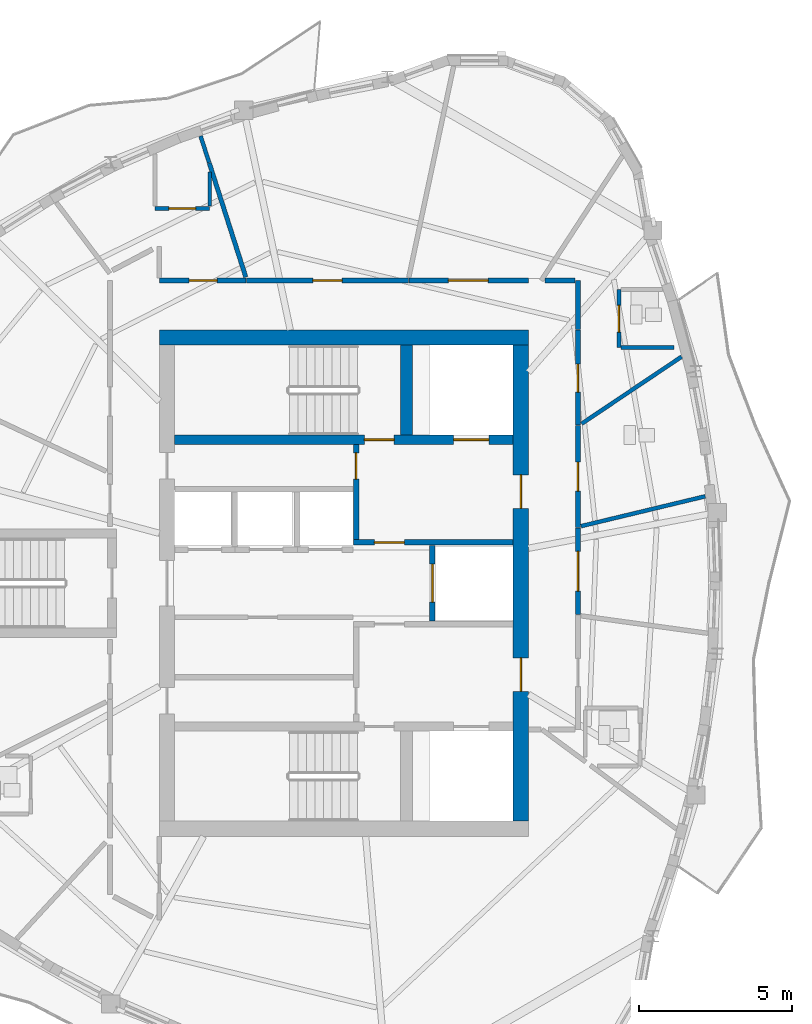
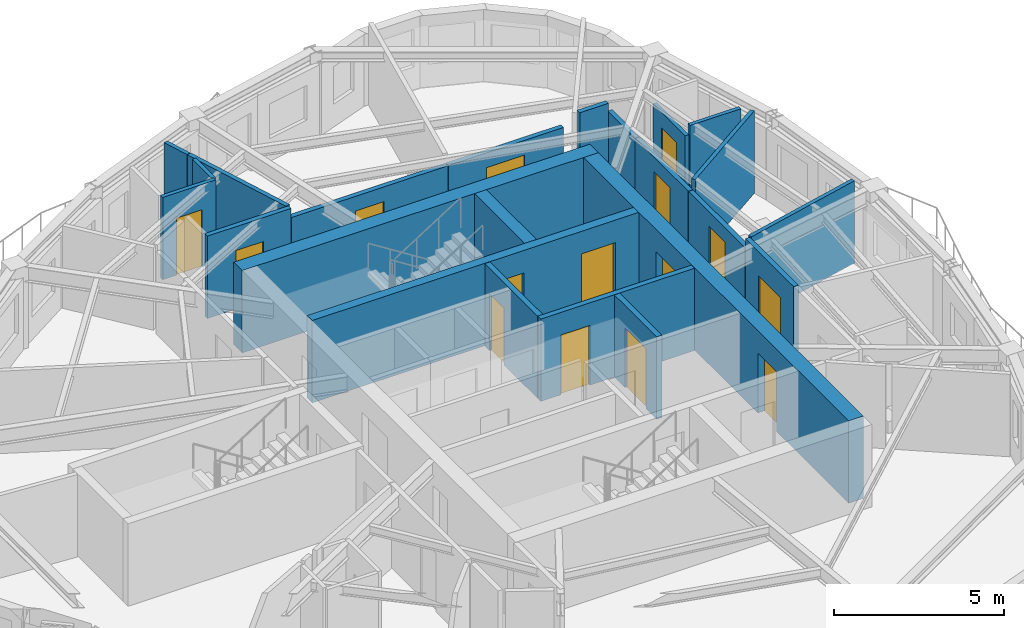
# One storey, part 6 of 12: 23 walls, 15 doors, 15 openings.
"""IFC4 building model written with IfcOpenShell, lengths in metres."""

from ifc_helpers import new_model, si_unit, direction, frame, frame_2d, origin, place, context, subcontext, project, spatial, rectangle, extrude, source, transform, mapped, material, layer, layer_set, type_object, element, fill, save


model = new_model("IFC4")

# Units and contexts
model_context = context("Model", 3, precision=1e-05, world=origin(), true_north=direction((0.0, 1.0)))
body_context = subcontext(model_context, "Body", "Model", "MODEL_VIEW")
ifc_project = project(units=[si_unit("LENGTHUNIT", "METRE"), si_unit("AREAUNIT", "SQUARE_METRE"), si_unit("VOLUMEUNIT", "CUBIC_METRE"), si_unit("PLANEANGLEUNIT", "RADIAN"), si_unit("MASSUNIT", "GRAM", prefix="KILO")], contexts=[model_context])

# Site, building, storey
site_placement = place(None, origin())
site = spatial("IfcSite", under=ifc_project, at=site_placement, CompositionType="ELEMENT")
building_placement = place(site_placement, origin())
building = spatial("IfcBuilding", under=site, at=building_placement, Name="Qafzar Sky-Pleat Residences", CompositionType="ELEMENT")
storey_placement = place(building_placement, frame((0.0, 0.0, 198.800048828125)))
storey = spatial("IfcBuildingStorey", under=building, at=storey_placement, Name="L59", CompositionType="ELEMENT", Elevation=198.800048828125)

# Wall, opening, door
ifc_material_1 = material(Name="Acoustic gypsum plasterboard partition", Category="gypsum")
ifc_layer_1 = layer(ifc_material_1, 0.159912109375)
ifc_layer_set_1 = layer_set([ifc_layer_1], Name="Acoustic gypsum plasterboard partition")
wall_type_1 = type_object("IfcWallType", Name="PART-COR-160", PredefinedType="PARTITIONING", material=ifc_layer_set_1)
wall_1_placement = place(storey_placement, frame((27.156005859375, 35.919921875, 0.0), z_axis=(0.0, 0.0, 1.0), x_axis=(1.0, 0.0, 0.0)))
wall_1 = element("IfcWall", 1, at=wall_1_placement, inside=storey, type_object=wall_type_1, Name="L59 Partition Wall PART-L59-PW-001", PredefinedType="PARTITIONING", context=body_context, shape_type="SweptSolid", body=[
    extrude(rectangle(XDim=5.31591796875, YDim=0.159912109375, at=frame_2d((2.657958984375, 0.0))), origin(), (0.0, 0.0, 1.0), 2.6279296875),
])
opening_1_placement = place(wall_1_placement, frame((2.177978515625, 0.0, 0.0)))
opening_1 = element("IfcOpeningElement", 2, at=opening_1_placement, cuts=wall_1, Name="Opening ID-06", PredefinedType="OPENING", context=body_context, shape_type="SweptSolid", body=[
    extrude(rectangle(XDim=0.9599609375, YDim=2.10009765625, at=frame_2d((0.47998046875, 1.050048828125))), frame((0.0, 0.08984375, 0.0), z_axis=(0.0, -1.0, 0.0), x_axis=(1.0, 0.0, 0.0)), (0.0, 0.0, 1.0), 0.179931640625),
])
ifc_material_2 = material(Name="Timber-faced fire door", Category="wood")
door_type_1 = type_object("IfcDoorType", Name="DR-STD-960", OperationType="NOTDEFINED", PredefinedType="DOOR", material=ifc_material_2)
shared_shape_1 = source(origin(), body_context, "Body", "SweptSolid", [
    extrude(rectangle(XDim=0.9599609375, YDim=2.10009765625, at=frame_2d((0.47998046875, 1.050048828125))), frame((0.0, 0.02490234375, 0.0), z_axis=(0.0, -1.0, 0.0), x_axis=(1.0, 0.0, 0.0)), (0.0, 0.0, 1.0), 0.050048828125),
])
door_1_placement = place(opening_1_placement, origin())
door_1 = element("IfcDoor", 3, at=door_1_placement, inside=storey, type_object=door_type_1, Name="L59 Music Practice Room Door", OperationType="SINGLE_SWING_RIGHT", OverallHeight=2.10009765625, OverallWidth=0.9599609375, PredefinedType="DOOR", context=body_context, shape_type="MappedRepresentation", body=[
    mapped(shared_shape_1, transform((0.0, 0.0, 0.0), x_axis=(1.0, 0.0, 0.0), y_axis=(0.0, 1.0, 0.0), z_axis=(0.0, 0.0, 1.0), scale=1.0)),
])
fill(opening_1, door_1)

wall_2_placement = place(storey_placement, frame((32.487060546875, 35.919921875, 0.0), z_axis=(0.0, 0.0, 1.0), x_axis=(1.0, 0.0, 0.0)))
wall_2 = element("IfcWall", 4, at=wall_2_placement, inside=storey, type_object=wall_type_1, Name="L59 Partition Wall PART-L59-PW-004", PredefinedType="PARTITIONING", context=body_context, shape_type="SweptSolid", body=[
    extrude(rectangle(XDim=3.912841796875, YDim=0.159912109375, at=frame_2d((1.95654296875, 0.0))), origin(), (0.0, 0.0, 1.0), 2.6279296875),
])
opening_2_placement = place(wall_2_placement, frame((1.291015625, 0.0, 0.0)))
opening_2 = element("IfcOpeningElement", 5, at=opening_2_placement, cuts=wall_2, Name="Opening ID-05", PredefinedType="OPENING", context=body_context, shape_type="SweptSolid", body=[
    extrude(rectangle(XDim=1.300048828125, YDim=2.10009765625, at=frame_2d((0.64990234375, 1.050048828125))), frame((0.0, 0.08984375, 0.0), z_axis=(0.0, -1.0, 0.0), x_axis=(1.0, 0.0, 0.0)), (0.0, 0.0, 1.0), 0.179931640625),
])
door_type_2 = type_object("IfcDoorType", Name="DR-LNG-1300", OperationType="DOUBLE_DOOR_SINGLE_SWING", PredefinedType="DOOR", material=ifc_material_2)
shared_shape_2 = source(origin(), body_context, "Body", "SweptSolid", [
    extrude(rectangle(XDim=1.300048828125, YDim=2.10009765625, at=frame_2d((0.64990234375, 1.050048828125))), frame((0.0, 0.02490234375, 0.0), z_axis=(0.0, -1.0, 0.0), x_axis=(1.0, 0.0, 0.0)), (0.0, 0.0, 1.0), 0.050048828125),
])
door_2_placement = place(opening_2_placement, origin())
door_2 = element("IfcDoor", 6, at=door_2_placement, inside=storey, type_object=door_type_2, Name="L59 Co-Living Lounge Door", OperationType="DOUBLE_DOOR_SINGLE_SWING", OverallHeight=2.10009765625, OverallWidth=1.300048828125, PredefinedType="DOOR", context=body_context, shape_type="MappedRepresentation", body=[
    mapped(shared_shape_2, transform((0.0, 0.0, 0.0), x_axis=(1.0, 0.0, 0.0), y_axis=(0.0, 1.0, 0.0), z_axis=(0.0, 0.0, 1.0), scale=1.0)),
])
fill(opening_2, door_2)

wall_3_placement = place(storey_placement, frame((38.02001953125, 31.160888671875, 0.0), z_axis=(0.0, 0.0, 1.0), x_axis=(0.0, -1.0, 0.0)))
wall_3 = element("IfcWall", 7, at=wall_3_placement, inside=storey, type_object=wall_type_1, Name="L59 Partition Wall PART-L59-PW-006", PredefinedType="PARTITIONING", context=body_context, shape_type="SweptSolid", body=[
    extrude(rectangle(XDim=3.3330078125, YDim=0.159912109375, at=frame_2d((1.66650390625, 0.0))), origin(), (0.0, 0.0, 1.0), 2.6279296875),
])
opening_3_placement = place(wall_3_placement, frame((1.193115234375, 0.0, 0.0)))
opening_3 = element("IfcOpeningElement", 8, at=opening_3_placement, cuts=wall_3, Name="Opening ID-08", PredefinedType="OPENING", context=body_context, shape_type="SweptSolid", body=[
    extrude(rectangle(XDim=0.949951171875, YDim=2.10009765625, at=frame_2d((0.47509765625, 1.050048828125))), frame((0.0, 0.08984375, 0.0), z_axis=(0.0, -1.0, 0.0), x_axis=(1.0, 0.0, 0.0)), (0.0, 0.0, 1.0), 0.179931640625),
])
door_type_3 = type_object("IfcDoorType", Name="DR-AWC-950", OperationType="NOTDEFINED", PredefinedType="DOOR", material=ifc_material_2)
shared_shape_3 = source(origin(), body_context, "Body", "SweptSolid", [
    extrude(rectangle(XDim=0.949951171875, YDim=2.10009765625, at=frame_2d((0.47509765625, 1.050048828125))), frame((0.0, 0.02490234375, 0.0), z_axis=(0.0, -1.0, 0.0), x_axis=(1.0, 0.0, 0.0)), (0.0, 0.0, 1.0), 0.050048828125),
])
door_3_placement = place(opening_3_placement, origin())
door_3 = element("IfcDoor", 9, at=door_3_placement, inside=storey, type_object=door_type_3, Name="L59 Accessible Shared Washroom Door", OperationType="SINGLE_SWING_RIGHT", OverallHeight=2.10009765625, OverallWidth=0.949951171875, PredefinedType="DOOR", context=body_context, shape_type="MappedRepresentation", body=[
    mapped(shared_shape_3, transform((0.0, 0.0, 0.0), x_axis=(1.0, 0.0, 0.0), y_axis=(0.0, 1.0, 0.0), z_axis=(0.0, 0.0, 1.0), scale=1.0)),
])
fill(opening_3, door_3)

wall_4_placement = place(storey_placement, frame((38.02001953125, 34.300048828125, 0.0), z_axis=(0.0, 0.0, 1.0), x_axis=(0.0, -1.0, 0.0)))
wall_4 = element("IfcWall", 10, at=wall_4_placement, inside=storey, type_object=wall_type_1, Name="L59 Partition Wall PART-L59-PW-007", PredefinedType="PARTITIONING", context=body_context, shape_type="SweptSolid", body=[
    extrude(rectangle(XDim=3.1240234375, YDim=0.159912109375, at=frame_2d((1.56201171875, 0.0))), origin(), (0.0, 0.0, 1.0), 2.6279296875),
])
opening_4_placement = place(wall_4_placement, frame((1.118408203125, 0.0, 0.0)))
opening_4 = element("IfcOpeningElement", 11, at=opening_4_placement, cuts=wall_4, Name="Opening ID-04", PredefinedType="OPENING", context=body_context, shape_type="SweptSolid", body=[
    extrude(rectangle(XDim=0.919921875, YDim=2.10009765625, at=frame_2d((0.4599609375, 1.050048828125))), frame((0.0, 0.08984375, 0.0), z_axis=(0.0, -1.0, 0.0), x_axis=(1.0, 0.0, 0.0)), (0.0, 0.0, 1.0), 0.179931640625),
])
door_type_4 = type_object("IfcDoorType", Name="DR-BED-920", OperationType="NOTDEFINED", PredefinedType="DOOR", material=ifc_material_2)
shared_shape_4 = source(origin(), body_context, "Body", "SweptSolid", [
    extrude(rectangle(XDim=0.919921875, YDim=2.10009765625, at=frame_2d((0.4599609375, 1.050048828125))), frame((0.0, 0.02490234375, 0.0), z_axis=(0.0, -1.0, 0.0), x_axis=(1.0, 0.0, 0.0)), (0.0, 0.0, 1.0), 0.050048828125),
])
door_4_placement = place(opening_4_placement, origin())
door_4 = element("IfcDoor", 12, at=door_4_placement, inside=storey, type_object=door_type_4, Name="L59 Co-Living Bedroom 3 Door", OperationType="SINGLE_SWING_LEFT", OverallHeight=2.10009765625, OverallWidth=0.919921875, PredefinedType="DOOR", context=body_context, shape_type="MappedRepresentation", body=[
    mapped(shared_shape_4, transform((0.0, 0.0, 0.0), x_axis=(1.0, 0.0, 0.0), y_axis=(0.0, 1.0, 0.0), z_axis=(0.0, 0.0, 1.0), scale=1.0)),
])
fill(opening_4, door_4)

wall_5_placement = place(storey_placement, frame((24.300048828125, 35.919921875, 0.0), z_axis=(0.0, 0.0, 1.0), x_axis=(1.0, 0.0, 0.0)))
wall_5 = element("IfcWall", 13, at=wall_5_placement, inside=storey, type_object=wall_type_1, Name="L59 Partition Wall PART-L59-PW-008", PredefinedType="PARTITIONING", context=body_context, shape_type="SweptSolid", body=[
    extrude(rectangle(XDim=2.841064453125, YDim=0.159912109375, at=frame_2d((1.42041015625, 0.0))), origin(), (0.0, 0.0, 1.0), 2.9599609375),
])
opening_5_placement = place(wall_5_placement, frame((0.97607421875, 0.0, 0.0)))
opening_5 = element("IfcOpeningElement", 14, at=opening_5_placement, cuts=wall_5, Name="Opening ID-04", PredefinedType="OPENING", context=body_context, shape_type="SweptSolid", body=[
    extrude(rectangle(XDim=0.919921875, YDim=2.10009765625, at=frame_2d((0.4599609375, 1.050048828125))), frame((0.0, 0.08984375, 0.0), z_axis=(0.0, -1.0, 0.0), x_axis=(1.0, 0.0, 0.0)), (0.0, 0.0, 1.0), 0.179931640625),
])
door_5_placement = place(opening_5_placement, origin())
door_5 = element("IfcDoor", 15, at=door_5_placement, inside=storey, type_object=door_type_4, Name="L59 Co-Living Bedroom 4 Door", OperationType="SINGLE_SWING_RIGHT", OverallHeight=2.10009765625, OverallWidth=0.919921875, PredefinedType="DOOR", context=body_context, shape_type="MappedRepresentation", body=[
    mapped(shared_shape_4, transform((0.0, 0.0, 0.0), x_axis=(1.0, 0.0, 0.0), y_axis=(0.0, 1.0, 0.0), z_axis=(0.0, 0.0, 1.0), scale=1.0)),
])
fill(opening_5, door_5)

wall_6_placement = place(storey_placement, frame((38.02001953125, 27.81298828125, 0.0), z_axis=(0.0, 0.0, 1.0), x_axis=(0.0, -1.0, 0.0)))
wall_6 = element("IfcWall", 16, at=wall_6_placement, inside=storey, type_object=wall_type_1, Name="L59 Partition Wall PART-L59-PW-009", PredefinedType="PARTITIONING", context=body_context, shape_type="SweptSolid", body=[
    extrude(rectangle(XDim=2.8388671875, YDim=0.159912109375, at=frame_2d((1.41943359375, 0.0))), origin(), (0.0, 0.0, 1.0), 2.9599609375),
])
opening_6_placement = place(wall_6_placement, frame((0.77001953125, 0.0, 0.0)))
opening_6 = element("IfcOpeningElement", 17, at=opening_6_placement, cuts=wall_6, Name="Opening ID-05", PredefinedType="OPENING", context=body_context, shape_type="SweptSolid", body=[
    extrude(rectangle(XDim=1.300048828125, YDim=2.10009765625, at=frame_2d((0.64990234375, 1.050048828125))), frame((0.0, 0.08984375, 0.0), z_axis=(0.0, -1.0, 0.0), x_axis=(1.0, 0.0, 0.0)), (0.0, 0.0, 1.0), 0.179931640625),
])
door_6_placement = place(opening_6_placement, origin())
door_6 = element("IfcDoor", 18, at=door_6_placement, inside=storey, type_object=door_type_2, Name="L59 Communal Kitchen Door", OperationType="DOUBLE_DOOR_SINGLE_SWING", OverallHeight=2.10009765625, OverallWidth=1.300048828125, PredefinedType="DOOR", context=body_context, shape_type="MappedRepresentation", body=[
    mapped(shared_shape_2, transform((0.0, 0.0, 0.0), x_axis=(1.0, 0.0, 0.0), y_axis=(0.0, 1.0, 0.0), z_axis=(0.0, 0.0, 1.0), scale=1.0)),
])
fill(opening_6, door_6)

# Walls
wall_7_placement = place(storey_placement, frame((38.02001953125, 34.31494140625, 0.0), z_axis=(0.0, 0.0, 1.0), x_axis=(0.0, 1.0, 0.0)))
element("IfcWall", 19, at=wall_7_placement, inside=storey, type_object=wall_type_1, Name="L59 Partition Wall PART-L59-PW-039", PredefinedType="PARTITIONING", context=body_context, shape_type="SweptSolid", body=[
    extrude(rectangle(XDim=1.60498046875, YDim=0.159912109375, at=frame_2d((0.802490234375, 0.0))), origin(), (0.0, 0.0, 1.0), 2.6279296875),
])
wall_8_placement = place(storey_placement, frame((36.94873046875, 35.919921875, 0.0), z_axis=(0.0, 0.0, 1.0), x_axis=(1.0, 0.0, 0.0)))
element("IfcWall", 20, at=wall_8_placement, inside=storey, type_object=wall_type_1, Name="L59 Partition Wall PART-L59-PW-045", PredefinedType="PARTITIONING", context=body_context, shape_type="SweptSolid", body=[
    extrude(rectangle(XDim=0.983154296875, YDim=0.159912109375, at=frame_2d((0.49169921875, 0.0))), origin(), (0.0, 0.0, 1.0), 2.9599609375),
])

# Wall, opening, door
ifc_material_3 = material(Name="Concrete blockwork partition", Category="masonry")
ifc_layer_2 = layer(ifc_material_3, 0.179931640625)
ifc_layer_set_2 = layer_set([ifc_layer_2], Name="Concrete blockwork partition")
wall_type_2 = type_object("IfcWallType", Name="PART-SHAFT-180", PredefinedType="PARTITIONING", material=ifc_layer_set_2)
wall_9_placement = place(storey_placement, frame((30.75, 27.429931640625, 0.0), z_axis=(0.0, 0.0, 1.0), x_axis=(0.0, 1.0, 0.0)))
wall_9 = element("IfcWall", 21, at=wall_9_placement, inside=storey, type_object=wall_type_2, Name="L59 Partition Wall PART-L59-FFL2-W", PredefinedType="PARTITIONING", context=body_context, shape_type="SweptSolid", body=[
    extrude(rectangle(XDim=3.110107421875, YDim=0.179931640625, at=frame_2d((1.55517578125, 0.0))), origin(), (0.0, 0.0, 1.0), 2.9599609375),
])
opening_7_placement = place(wall_9_placement, frame((1.97998046875, 0.0, 0.0)))
opening_7 = element("IfcOpeningElement", 22, at=opening_7_placement, cuts=wall_9, Name="Opening ID-09", PredefinedType="OPENING", context=body_context, shape_type="SweptSolid", body=[
    extrude(rectangle(XDim=0.860107421875, YDim=2.050048828125, at=frame_2d((0.43017578125, 1.02490234375))), frame((0.0, 0.10009765625, 0.0), z_axis=(0.0, -1.0, 0.0), x_axis=(1.0, 0.0, 0.0)), (0.0, 0.0, 1.0), 0.199951171875),
])
door_type_5 = type_object("IfcDoorType", Name="DR-SVC-860", OperationType="NOTDEFINED", PredefinedType="DOOR", material=ifc_material_2)
shared_shape_5 = source(origin(), body_context, "Body", "SweptSolid", [
    extrude(rectangle(XDim=0.860107421875, YDim=2.050048828125, at=frame_2d((0.43017578125, 1.02490234375))), frame((0.0, 0.02490234375, 0.0), z_axis=(0.0, -1.0, 0.0), x_axis=(1.0, 0.0, 0.0)), (0.0, 0.0, 1.0), 0.050048828125),
])
door_7_placement = place(opening_7_placement, origin())
door_7 = element("IfcDoor", 23, at=door_7_placement, inside=storey, type_object=door_type_5, Name="L59 North Core Cupboard Door", OperationType="SINGLE_SWING_LEFT", OverallHeight=2.050048828125, OverallWidth=0.860107421875, PredefinedType="DOOR", context=body_context, shape_type="MappedRepresentation", body=[
    mapped(shared_shape_5, transform((0.0, 0.0, 0.0), x_axis=(1.0, 0.0, 0.0), y_axis=(0.0, 1.0, 0.0), z_axis=(0.0, 0.0, 1.0), scale=1.0)),
])
fill(opening_7, door_7)

wall_10_placement = place(storey_placement, frame((30.669921875, 27.340087890625, 0.0), z_axis=(0.0, 0.0, 1.0), x_axis=(1.0, 0.0, 0.0)))
wall_10 = element("IfcWall", 24, at=wall_10_placement, inside=storey, type_object=wall_type_2, Name="L59 Partition Wall PART-L59-FFL2-S", PredefinedType="PARTITIONING", context=body_context, shape_type="SweptSolid", body=[
    extrude(rectangle(XDim=5.219970703125, YDim=0.179931640625, at=frame_2d((2.60986328125, 0.0))), origin(), (0.0, 0.0, 1.0), 2.9599609375),
])
opening_8_placement = place(wall_10_placement, frame((0.679931640625, 0.0, 0.0)))
opening_8 = element("IfcOpeningElement", 25, at=opening_8_placement, cuts=wall_10, Name="Opening ID-01", PredefinedType="OPENING", context=body_context, shape_type="SweptSolid", body=[
    extrude(rectangle(XDim=0.97998046875, YDim=2.14990234375, at=frame_2d((0.489990234375, 1.074951171875))), frame((0.0, 0.10009765625, 0.0), z_axis=(0.0, -1.0, 0.0), x_axis=(1.0, 0.0, 0.0)), (0.0, 0.0, 1.0), 0.199951171875),
])
door_type_6 = type_object("IfcDoorType", Name="DR-STAIR-980", OperationType="NOTDEFINED", PredefinedType="DOOR", material=ifc_material_2)
shared_shape_6 = source(origin(), body_context, "Body", "SweptSolid", [
    extrude(rectangle(XDim=0.97998046875, YDim=2.14990234375, at=frame_2d((0.489990234375, 1.074951171875))), frame((0.0, 0.02490234375, 0.0), z_axis=(0.0, -1.0, 0.0), x_axis=(1.0, 0.0, 0.0)), (0.0, 0.0, 1.0), 0.050048828125),
])
door_8_placement = place(opening_8_placement, origin())
door_8 = element("IfcDoor", 26, at=door_8_placement, inside=storey, type_object=door_type_6, Name="L59 Lift Lobby to North Firefighting Lobby Door", OperationType="SINGLE_SWING_RIGHT", OverallHeight=2.14990234375, OverallWidth=0.97998046875, PredefinedType="DOOR", context=body_context, shape_type="MappedRepresentation", body=[
    mapped(shared_shape_6, transform((0.0, 0.0, 0.0), x_axis=(1.0, 0.0, 0.0), y_axis=(0.0, 1.0, 0.0), z_axis=(0.0, 0.0, 1.0), scale=1.0)),
])
fill(opening_8, door_8)

wall_11_placement = place(storey_placement, frame((33.25, 24.760009765625, 0.0), z_axis=(0.0, 0.0, 1.0), x_axis=(0.0, 1.0, 0.0)))
wall_11 = element("IfcWall", 27, at=wall_11_placement, inside=storey, type_object=wall_type_2, Name="L59 Partition Wall PART-L59-SV1-W", PredefinedType="PARTITIONING", context=body_context, shape_type="SweptSolid", body=[
    extrude(rectangle(XDim=2.47998046875, YDim=0.179931640625, at=frame_2d((1.239990234375, 0.0))), origin(), (0.0, 0.0, 1.0), 2.9599609375),
])
opening_9_placement = place(wall_11_placement, frame((0.614990234375, 0.0, 0.0)))
opening_9 = element("IfcOpeningElement", 28, at=opening_9_placement, cuts=wall_11, Name="Opening LD-03", PredefinedType="OPENING", context=body_context, shape_type="SweptSolid", body=[
    extrude(rectangle(XDim=1.25, YDim=2.14990234375, at=frame_2d((0.625, 1.074951171875))), frame((0.0, 0.10009765625, 0.0), z_axis=(0.0, -1.0, 0.0), x_axis=(1.0, 0.0, 0.0)), (0.0, 0.0, 1.0), 0.199951171875),
])
ifc_material_4 = material(Name="Stainless steel sliding landing door", Category="steel")
door_type_7 = type_object("IfcDoorType", Name="DR-LIFT-SV", OperationType="DOUBLE_DOOR_SLIDING", PredefinedType="DOOR", material=ifc_material_4)
shared_shape_7 = source(origin(), body_context, "Body", "SweptSolid", [
    extrude(rectangle(XDim=1.25, YDim=2.14990234375, at=frame_2d((0.625, 1.074951171875))), frame((0.0, 0.02490234375, 0.0), z_axis=(0.0, -1.0, 0.0), x_axis=(1.0, 0.0, 0.0)), (0.0, 0.0, 1.0), 0.050048828125),
])
door_9_placement = place(opening_9_placement, origin())
door_9 = element("IfcDoor", 29, at=door_9_placement, inside=storey, type_object=door_type_7, Name="L59 Service Lift SV1 Landing Door", OperationType="DOUBLE_DOOR_SLIDING", OverallHeight=2.14990234375, OverallWidth=1.25, PredefinedType="DOOR", context=body_context, shape_type="MappedRepresentation", body=[
    mapped(shared_shape_7, transform((0.0, 0.0, 0.0), x_axis=(1.0, 0.0, 0.0), y_axis=(0.0, 1.0, 0.0), z_axis=(0.0, 0.0, 1.0), scale=1.0)),
])
fill(opening_9, door_9)

# Wall
ifc_layer_3 = layer(ifc_material_1, 0.14501953125)
ifc_layer_set_3 = layer_set([ifc_layer_3], Name="Acoustic gypsum plasterboard partition")
wall_type_3 = type_object("IfcWallType", Name="PART-UNIT-145", PredefinedType="PARTITIONING", material=ifc_layer_set_3)
wall_12_placement = place(storey_placement, frame((25.93896484375, 39.76708984375, 0.0), z_axis=(0.0, 0.0, 1.0), x_axis=(0.305195538028, -0.952289705693, 0.0)))
element("IfcWall", 30, at=wall_12_placement, inside=storey, type_object=wall_type_3, Name="L59 Partition Wall PART-L59-PW-026", PredefinedType="PARTITIONING", context=body_context, shape_type="SweptSolid", body=[
    extrude(rectangle(XDim=3.924560546875, YDim=0.14501953125, at=frame_2d((1.96240234375, 0.0))), origin(), (0.0, 0.0, 1.0), 2.9599609375),
])

# Wall, opening, door
ifc_material_5 = material(Name="Moisture-resistant gypsum partition", Category="gypsum")
ifc_layer_4 = layer(ifc_material_5, 0.1298828125)
ifc_layer_set_4 = layer_set([ifc_layer_4], Name="Moisture-resistant gypsum partition")
wall_type_4 = type_object("IfcWallType", Name="PART-WET-130", PredefinedType="PARTITIONING", material=ifc_layer_set_4)
wall_13_placement = place(storey_placement, frame((39.364013671875, 35.616943359375, 0.0), z_axis=(0.0, 0.0, 1.0), x_axis=(0.0, -1.0, 0.0)))
wall_13 = element("IfcWall", 31, at=wall_13_placement, inside=storey, type_object=wall_type_4, Name="L59 Partition Wall PART-L59-PW-014", PredefinedType="PARTITIONING", context=body_context, shape_type="SweptSolid", body=[
    extrude(rectangle(XDim=1.89990234375, YDim=0.1298828125, at=frame_2d((0.949951171875, 0.0))), origin(), (0.0, 0.0, 1.0), 2.597900390625),
])
opening_10_placement = place(wall_13_placement, frame((0.510009765625, 0.0, 0.0)))
opening_10 = element("IfcOpeningElement", 32, at=opening_10_placement, cuts=wall_13, Name="Opening ID-07", PredefinedType="OPENING", context=body_context, shape_type="SweptSolid", body=[
    extrude(rectangle(XDim=0.8798828125, YDim=2.050048828125, at=frame_2d((0.43994140625, 1.02490234375))), frame((0.0, 0.074951171875, 0.0), z_axis=(0.0, -1.0, 0.0), x_axis=(1.0, 0.0, 0.0)), (0.0, 0.0, 1.0), 0.14990234375),
])
door_type_8 = type_object("IfcDoorType", Name="DR-WET-880", OperationType="NOTDEFINED", PredefinedType="DOOR", material=ifc_material_2)
shared_shape_8 = source(origin(), body_context, "Body", "SweptSolid", [
    extrude(rectangle(XDim=0.8798828125, YDim=2.050048828125, at=frame_2d((0.43994140625, 1.02490234375))), frame((0.0, 0.02490234375, 0.0), z_axis=(0.0, -1.0, 0.0), x_axis=(1.0, 0.0, 0.0)), (0.0, 0.0, 1.0), 0.050048828125),
])
door_10_placement = place(opening_10_placement, origin())
door_10 = element("IfcDoor", 33, at=door_10_placement, inside=storey, type_object=door_type_8, Name="L59 En-suite Bathroom 3 Door", OperationType="SINGLE_SWING_LEFT", OverallHeight=2.050048828125, OverallWidth=0.8798828125, PredefinedType="DOOR", context=body_context, shape_type="MappedRepresentation", body=[
    mapped(shared_shape_8, transform((0.0, 0.0, 0.0), x_axis=(1.0, 0.0, 0.0), y_axis=(0.0, 1.0, 0.0), z_axis=(0.0, 0.0, 1.0), scale=1.0)),
])
fill(opening_10, door_10)

wall_14_placement = place(storey_placement, frame((24.154052734375, 38.281982421875, 0.0), z_axis=(0.0, 0.0, 1.0), x_axis=(1.0, 0.0, 0.0)))
wall_14 = element("IfcWall", 34, at=wall_14_placement, inside=storey, type_object=wall_type_4, Name="L59 Partition Wall PART-L59-PW-016", PredefinedType="PARTITIONING", context=body_context, shape_type="SweptSolid", body=[
    extrude(rectangle(XDim=1.800048828125, YDim=0.1298828125, at=frame_2d((0.89990234375, 0.0))), origin(), (0.0, 0.0, 1.0), 2.9599609375),
])
opening_11_placement = place(wall_14_placement, frame((0.4599609375, 0.0, 0.0)))
opening_11 = element("IfcOpeningElement", 35, at=opening_11_placement, cuts=wall_14, Name="Opening ID-07", PredefinedType="OPENING", context=body_context, shape_type="SweptSolid", body=[
    extrude(rectangle(XDim=0.8798828125, YDim=2.050048828125, at=frame_2d((0.43994140625, 1.02490234375))), frame((0.0, 0.074951171875, 0.0), z_axis=(0.0, -1.0, 0.0), x_axis=(1.0, 0.0, 0.0)), (0.0, 0.0, 1.0), 0.14990234375),
])
door_11_placement = place(opening_11_placement, origin())
door_11 = element("IfcDoor", 36, at=door_11_placement, inside=storey, type_object=door_type_8, Name="L59 En-suite Bathroom 4 Door", OperationType="SINGLE_SWING_LEFT", OverallHeight=2.050048828125, OverallWidth=0.8798828125, PredefinedType="DOOR", context=body_context, shape_type="MappedRepresentation", body=[
    mapped(shared_shape_8, transform((0.0, 0.0, 0.0), x_axis=(1.0, 0.0, 0.0), y_axis=(0.0, 1.0, 0.0), z_axis=(0.0, 0.0, 1.0), scale=1.0)),
])
fill(opening_11, door_11)

# Walls
wall_15_placement = place(storey_placement, frame((38.123046875, 27.867919921875, 0.0), z_axis=(0.0, 0.0, 1.0), x_axis=(0.972302502293, 0.233726002051, 0.0)))
element("IfcWall", 37, at=wall_15_placement, inside=storey, type_object=wall_type_4, Name="L59 Partition Wall PART-L59-PW-023", PredefinedType="PARTITIONING", context=body_context, shape_type="SweptSolid", body=[
    extrude(rectangle(XDim=4.1845703125, YDim=0.1298828125, at=frame_2d((2.09228515625, 0.0))), origin(), (0.0, 0.0, 1.0), 2.9599609375),
])
wall_16_placement = place(storey_placement, frame((38.142822265625, 31.225341796875, 0.0), z_axis=(0.0, 0.0, 1.0), x_axis=(0.830560844451, 0.556927898084, 0.0)))
element("IfcWall", 38, at=wall_16_placement, inside=storey, type_object=wall_type_4, Name="L59 Partition Wall PART-L59-PW-025", PredefinedType="PARTITIONING", context=body_context, shape_type="SweptSolid", body=[
    extrude(rectangle(XDim=3.94189453125, YDim=0.1298828125, at=frame_2d((1.970947265625, 0.0))), origin(), (0.0, 0.0, 1.0), 2.9599609375),
])
wall_17_placement = place(storey_placement, frame((39.43701171875, 33.717041015625, 0.0), z_axis=(0.0, 0.0, 1.0), x_axis=(1.0, 0.0, 0.0)))
element("IfcWall", 39, at=wall_17_placement, inside=storey, type_object=wall_type_4, Name="L59 Partition Wall PART-L59-PW-033", PredefinedType="PARTITIONING", context=body_context, shape_type="SweptSolid", body=[
    extrude(rectangle(XDim=1.72705078125, YDim=0.1298828125, at=frame_2d((0.863525390625, 0.0))), origin(), (0.0, 0.0, 1.0), 2.9599609375),
])
wall_18_placement = place(storey_placement, frame((25.9541015625, 38.35498046875, 0.0), z_axis=(0.0, 0.0, 1.0), x_axis=(0.0, 1.0, 0.0)))
element("IfcWall", 40, at=wall_18_placement, inside=storey, type_object=wall_type_4, Name="L59 Partition Wall PART-L59-PW-044", PredefinedType="PARTITIONING", context=body_context, shape_type="SweptSolid", body=[
    extrude(rectangle(XDim=1.125, YDim=0.1298828125, at=frame_2d((0.5625, 0.0))), origin(), (0.0, 0.0, 1.0), 2.9599609375),
])
wall_19_placement = place(storey_placement, frame((25.655029296875, 40.65234375, 0.0), z_axis=(0.0, 0.0, 1.0), x_axis=(0.305317972149, -0.952250458589, 0.0)))
element("IfcWall", 41, at=wall_19_placement, inside=storey, type_object=wall_type_4, Name="L59 Partition Wall PART-L59-PW-050", PredefinedType="PARTITIONING", context=body_context, shape_type="SweptSolid", body=[
    extrude(rectangle(XDim=0.914794921875, YDim=0.1298828125, at=frame_2d((0.45751953125, 0.0))), origin(), (0.0, 0.0, 1.0), 2.9599609375),
])

# Wall, openings, doors
ifc_material_6 = material(Name="Concrete C60/75", Category="concrete")
ifc_layer_5 = layer(ifc_material_6, 0.300048828125)
ifc_layer_set_5 = layer_set([ifc_layer_5], Name="Concrete C60/75")
wall_type_5 = type_object("IfcWallType", Name="WALL-SHEAR-300", PredefinedType="SHEAR", material=ifc_layer_set_5)
wall_20_placement = place(storey_placement, frame((24.800048828125, 30.699951171875, 0.0), z_axis=(0.0, 0.0, 1.0), x_axis=(1.0, 0.0, 0.0)))
wall_20 = element("IfcWall", 42, at=wall_20_placement, inside=storey, type_object=wall_type_5, Name="L59 Stair ST2 and FF2 Shaft South Wall", PredefinedType="SHEAR", context=body_context, shape_type="SweptSolid", body=[
    extrude(rectangle(XDim=11.099853515625, YDim=0.300048828125, at=frame_2d((5.5498046875, 0.0))), origin(), (0.0, 0.0, 1.0), 2.9599609375),
])
opening_12_placement = place(wall_20_placement, frame((6.219970703125, 0.0, 0.0)))
opening_12 = element("IfcOpeningElement", 43, at=opening_12_placement, cuts=wall_20, Name="Opening ID-01", PredefinedType="OPENING", context=body_context, shape_type="SweptSolid", body=[
    extrude(rectangle(XDim=0.97998046875, YDim=2.14990234375, at=frame_2d((0.489990234375, 1.074951171875))), frame((0.0, 0.16015625, 0.0), z_axis=(0.0, -1.0, 0.0), x_axis=(1.0, 0.0, 0.0)), (0.0, 0.0, 1.0), 0.320068359375),
])
opening_13_placement = place(wall_20_placement, frame((9.14990234375, 0.0, 0.0)))
opening_13 = element("IfcOpeningElement", 44, at=opening_13_placement, cuts=wall_20, Name="Opening LD-02", PredefinedType="OPENING", context=body_context, shape_type="SweptSolid", body=[
    extrude(rectangle(XDim=1.14990234375, YDim=2.14990234375, at=frame_2d((0.574951171875, 1.074951171875))), frame((0.0, 0.16015625, 0.0), z_axis=(0.0, -1.0, 0.0), x_axis=(1.0, 0.0, 0.0)), (0.0, 0.0, 1.0), 0.320068359375),
])
door_12_placement = place(opening_12_placement, origin())
door_12 = element("IfcDoor", 45, at=door_12_placement, inside=storey, type_object=door_type_6, Name="L59 Stair ST2 Fire Door", OperationType="SINGLE_SWING_LEFT", OverallHeight=2.14990234375, OverallWidth=0.97998046875, PredefinedType="DOOR", context=body_context, shape_type="MappedRepresentation", body=[
    mapped(shared_shape_6, transform((0.0, 0.0, 0.0), x_axis=(1.0, 0.0, 0.0), y_axis=(0.0, 1.0, 0.0), z_axis=(0.0, 0.0, 1.0), scale=1.0)),
])
fill(opening_12, door_12)
door_type_9 = type_object("IfcDoorType", Name="DR-LIFT-FF", OperationType="DOUBLE_DOOR_SLIDING", PredefinedType="DOOR", material=ifc_material_4)
shared_shape_9 = source(origin(), body_context, "Body", "SweptSolid", [
    extrude(rectangle(XDim=1.14990234375, YDim=2.14990234375, at=frame_2d((0.574951171875, 1.074951171875))), frame((0.0, 0.02490234375, 0.0), z_axis=(0.0, -1.0, 0.0), x_axis=(1.0, 0.0, 0.0)), (0.0, 0.0, 1.0), 0.050048828125),
])
door_13_placement = place(opening_13_placement, origin())
door_13 = element("IfcDoor", 46, at=door_13_placement, inside=storey, type_object=door_type_9, Name="L59 Firefighting Lift FF2 Landing Door", OperationType="DOUBLE_DOOR_SLIDING", OverallHeight=2.14990234375, OverallWidth=1.14990234375, PredefinedType="DOOR", context=body_context, shape_type="MappedRepresentation", body=[
    mapped(shared_shape_9, transform((0.0, 0.0, 0.0), x_axis=(1.0, 0.0, 0.0), y_axis=(0.0, 1.0, 0.0), z_axis=(0.0, 0.0, 1.0), scale=1.0)),
])
fill(opening_13, door_13)

# Walls
ifc_layer_6 = layer(ifc_material_6, 0.39990234375)
ifc_layer_set_6 = layer_set([ifc_layer_6], Name="Concrete C60/75")
wall_type_6 = type_object("IfcWallType", Name="WALL-SHEAR-400", PredefinedType="SHEAR", material=ifc_layer_set_6)
wall_21_placement = place(storey_placement, frame((32.39990234375, 30.85009765625, 0.0), z_axis=(0.0, 0.0, 1.0), x_axis=(0.0, 1.0, 0.0)))
element("IfcWall", 47, at=wall_21_placement, inside=storey, type_object=wall_type_6, Name="L59 Stair ST2 East Dividing Wall", PredefinedType="SHEAR", context=body_context, shape_type="SweptSolid", body=[
    extrude(rectangle(XDim=2.949951171875, YDim=0.39990234375, at=frame_2d((1.47509765625, 0.0))), origin(), (0.0, 0.0, 1.0), 2.9599609375),
])
ifc_layer_7 = layer(ifc_material_6, 0.5)
ifc_layer_set_7 = layer_set([ifc_layer_7], Name="Concrete C60/75")
wall_type_7 = type_object("IfcWallType", Name="WALL-SHEAR-500", PredefinedType="SHEAR", material=ifc_layer_set_7)
wall_22_placement = place(storey_placement, frame((36.39990234375, 34.050048828125, 0.0), z_axis=(0.0, 0.0, 1.0), x_axis=(-1.0, 0.0, 0.0)))
element("IfcWall", 48, at=wall_22_placement, inside=storey, type_object=wall_type_7, Name="L59 CORE wall N", PredefinedType="SHEAR", context=body_context, shape_type="SweptSolid", body=[
    extrude(rectangle(XDim=12.099853515625, YDim=0.5, at=frame_2d((6.0498046875, 0.0))), origin(), (0.0, 0.0, 1.0), 2.9599609375),
])

# Wall, openings, doors
wall_23_placement = place(storey_placement, frame((36.14990234375, 18.199951171875, 0.0), z_axis=(0.0, 0.0, 1.0), x_axis=(0.0, 1.0, 0.0)))
wall_23 = element("IfcWall", 49, at=wall_23_placement, inside=storey, type_object=wall_type_7, Name="L59 CORE wall E", PredefinedType="SHEAR", context=body_context, shape_type="SweptSolid", body=[
    extrude(rectangle(XDim=15.60009765625, YDim=0.5, at=frame_2d((7.800048828125, 0.0))), origin(), (0.0, 0.0, 1.0), 2.9599609375),
])
opening_14_placement = place(wall_23_placement, frame((4.25, 0.0, 0.0)))
opening_14 = element("IfcOpeningElement", 50, at=opening_14_placement, cuts=wall_23, Name="Opening ID-02", PredefinedType="OPENING", context=body_context, shape_type="SweptSolid", body=[
    extrude(rectangle(XDim=1.10009765625, YDim=2.14990234375, at=frame_2d((0.550048828125, 1.074951171875))), frame((0.0, 0.260009765625, 0.0), z_axis=(0.0, -1.0, 0.0), x_axis=(1.0, 0.0, 0.0)), (0.0, 0.0, 1.0), 0.52001953125),
])
opening_15_placement = place(wall_23_placement, frame((10.25, 0.0, 0.0)))
opening_15 = element("IfcOpeningElement", 51, at=opening_15_placement, cuts=wall_23, Name="Opening ID-02", PredefinedType="OPENING", context=body_context, shape_type="SweptSolid", body=[
    extrude(rectangle(XDim=1.10009765625, YDim=2.14990234375, at=frame_2d((0.550048828125, 1.074951171875))), frame((0.0, 0.260009765625, 0.0), z_axis=(0.0, -1.0, 0.0), x_axis=(1.0, 0.0, 0.0)), (0.0, 0.0, 1.0), 0.52001953125),
])
door_type_10 = type_object("IfcDoorType", Name="DR-FFL-1100", OperationType="NOTDEFINED", PredefinedType="DOOR", material=ifc_material_2)
shared_shape_10 = source(origin(), body_context, "Body", "SweptSolid", [
    extrude(rectangle(XDim=1.10009765625, YDim=2.14990234375, at=frame_2d((0.550048828125, 1.074951171875))), frame((0.0, 0.02490234375, 0.0), z_axis=(0.0, -1.0, 0.0), x_axis=(1.0, 0.0, 0.0)), (0.0, 0.0, 1.0), 0.050048828125),
])
door_14_placement = place(opening_14_placement, origin())
door_14 = element("IfcDoor", 52, at=door_14_placement, inside=storey, type_object=door_type_10, Name="L59 Firefighting Lobby South Corridor Door", OperationType="SINGLE_SWING_LEFT", OverallHeight=2.14990234375, OverallWidth=1.10009765625, PredefinedType="DOOR", context=body_context, shape_type="MappedRepresentation", body=[
    mapped(shared_shape_10, transform((0.0, 0.0, 0.0), x_axis=(1.0, 0.0, 0.0), y_axis=(0.0, 1.0, 0.0), z_axis=(0.0, 0.0, 1.0), scale=1.0)),
])
fill(opening_14, door_14)
door_15_placement = place(opening_15_placement, origin())
door_15 = element("IfcDoor", 53, at=door_15_placement, inside=storey, type_object=door_type_10, Name="L59 Firefighting Lobby North Corridor Door", OperationType="SINGLE_SWING_RIGHT", OverallHeight=2.14990234375, OverallWidth=1.10009765625, PredefinedType="DOOR", context=body_context, shape_type="MappedRepresentation", body=[
    mapped(shared_shape_10, transform((0.0, 0.0, 0.0), x_axis=(1.0, 0.0, 0.0), y_axis=(0.0, 1.0, 0.0), z_axis=(0.0, 0.0, 1.0), scale=1.0)),
])
fill(opening_15, door_15)

save(model, "model.ifc")
